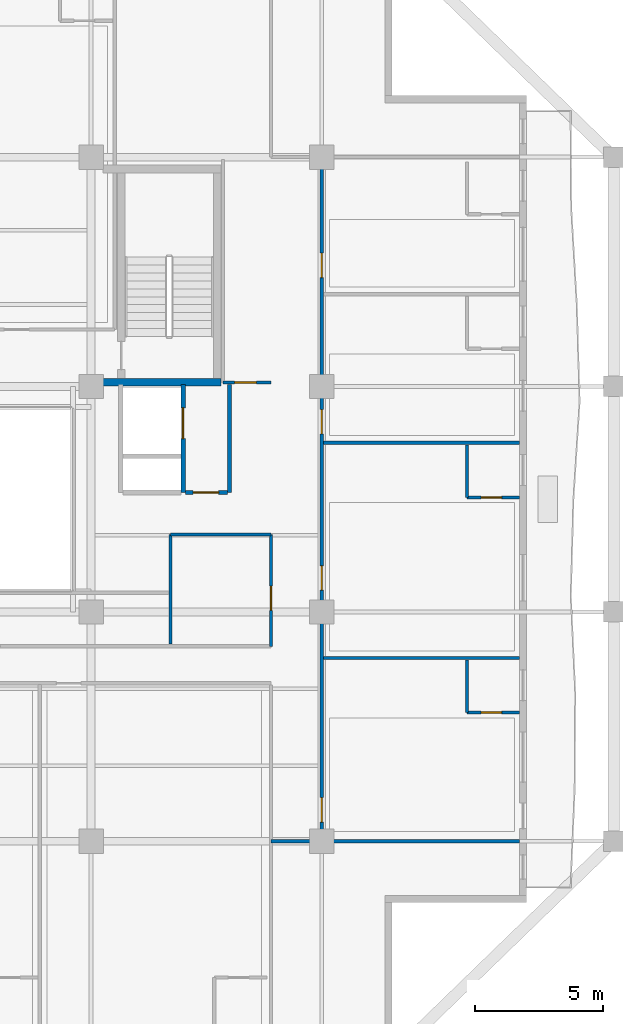
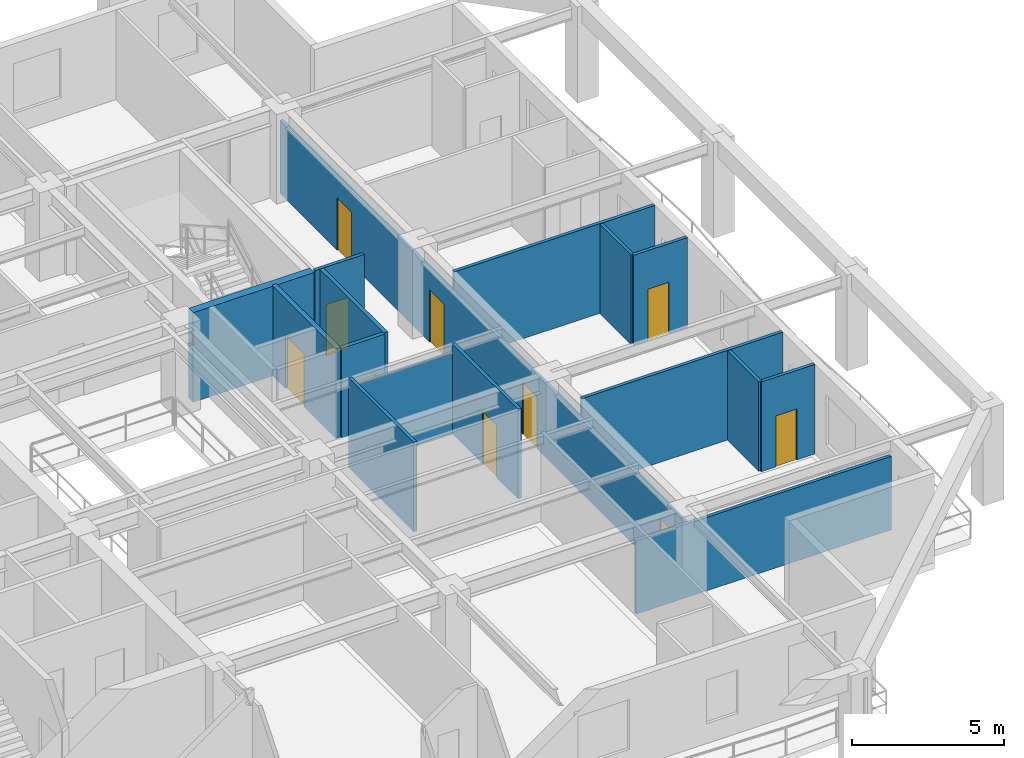
# One storey, part 5 of 13: 16 walls, 10 doors, 10 openings.
"""IFC4 building model written with IfcOpenShell, lengths in metres."""

from ifc_helpers import new_model, si_unit, direction, frame, frame_2d, origin, place, context, subcontext, project, spatial, rectangle, extrude, material, layer, layer_set, type_object, element, fill, save


model = new_model("IFC4")

# Units and contexts
model_context = context("Model", 3, precision=1e-05, world=origin(), true_north=direction((0.0, 1.0)))
body_context = subcontext(model_context, "Body", "Model", "MODEL_VIEW")
ifc_project = project(units=[si_unit("LENGTHUNIT", "METRE"), si_unit("AREAUNIT", "SQUARE_METRE"), si_unit("VOLUMEUNIT", "CUBIC_METRE"), si_unit("PLANEANGLEUNIT", "RADIAN"), si_unit("MASSUNIT", "GRAM", prefix="KILO")], contexts=[model_context])

# Site, building, storey
site_placement = place(None, origin())
site = spatial("IfcSite", under=ifc_project, at=site_placement, CompositionType="ELEMENT")
building_placement = place(site_placement, origin())
building = spatial("IfcBuilding", under=site, at=building_placement, Name="Kundavana Baori Tower", CompositionType="ELEMENT")
storey_placement = place(building_placement, frame((0.0, 0.0, 165.60009765625)))
storey = spatial("IfcBuildingStorey", under=building, at=storey_placement, Name="L40", CompositionType="ELEMENT", Elevation=165.60009765625)

# Wall
ifc_material_1 = material(Name="Fire-Rated Gypsum Drywall on Galvanised Steel Studs", Category="steel")
ifc_layer_1 = layer(ifc_material_1, 0.14990234375, Name="WL-PART-150")
ifc_layer_set_1 = layer_set([ifc_layer_1], Name="Fire-Rated Gypsum Drywall on Galvanised Steel Studs")
wall_type_1 = type_object("IfcWallType", Name="WL-PART-150", PredefinedType="PARTITIONING", material=ifc_layer_set_1)
wall_1_placement = place(storey_placement, frame((39.199951171875, 28.860107421875, 0.0), z_axis=(0.0, 0.0, 1.0), x_axis=(0.0, 1.0, 0.0)))
element("IfcWall", 1, at=wall_1_placement, inside=storey, type_object=wall_type_1, Name="WL-L40-SVLOB-E", PredefinedType="PARTITIONING", context=body_context, shape_type="SweptSolid", body=[
    extrude(rectangle(XDim=4.219970703125, YDim=0.14990234375, at=frame_2d((2.10986328125, 0.0))), origin(), (0.0, 0.0, 1.0), 3.599853515625),
])

# Wall, opening, door
wall_2_placement = place(storey_placement, frame((37.47998046875, 28.860107421875, 0.0), z_axis=(0.0, 0.0, 1.0), x_axis=(1.0, 0.0, 0.0)))
wall_2 = element("IfcWall", 2, at=wall_2_placement, inside=storey, type_object=wall_type_1, Name="WL-L40-SVLOB-S", PredefinedType="PARTITIONING", context=body_context, shape_type="SweptSolid", body=[
    extrude(rectangle(XDim=1.64013671875, YDim=0.14990234375, at=frame_2d((0.820068359375, 0.0))), origin(), (0.0, 0.0, 1.0), 3.599853515625),
])
opening_1_placement = place(wall_2_placement, frame((0.300048828125, 0.0, 0.0)))
opening_1 = element("IfcOpeningElement", 3, at=opening_1_placement, cuts=wall_2, Name="Opening FD-100", PredefinedType="OPENING", context=body_context, shape_type="SweptSolid", body=[
    extrude(rectangle(XDim=1.0, YDim=2.10009765625, at=frame_2d((0.5, 1.050048828125))), frame((0.0, 0.0849609375, 0.0), z_axis=(0.0, -1.0, 0.0), x_axis=(1.0, 0.0, 0.0)), (0.0, 0.0, 1.0), 0.169921875),
])
ifc_material_2 = material(Name="Engineered Teak Fire-Rated Timber Door Leaf", Category="wood")
door_type_1 = type_object("IfcDoorType", Name="DR-FD60-1000", OperationType="NOTDEFINED", PredefinedType="DOOR", material=ifc_material_2)
door_1_placement = place(opening_1_placement, origin())
door_1 = element("IfcDoor", 4, at=door_1_placement, inside=storey, type_object=door_type_1, Name="DR-L40-SVLOB-OUT", OperationType="SINGLE_SWING_LEFT", OverallHeight=2.10009765625, OverallWidth=1.0, PredefinedType="DOOR", context=body_context, shape_type="SweptSolid", body=[
    extrude(rectangle(XDim=1.0, YDim=2.10009765625, at=frame_2d((0.5, 1.050048828125))), frame((0.0, 0.02490234375, 0.0), z_axis=(0.0, -1.0, 0.0), x_axis=(1.0, 0.0, 0.0)), (0.0, 0.0, 1.0), 0.050048828125),
])
fill(opening_1, door_1)

ifc_material_3 = material(Name="Autoclaved Aerated Concrete Blockwork Masonry", Category="masonry")
ifc_layer_2 = layer(ifc_material_3, 0.179931640625, Name="WL-SHAFT-180")
ifc_layer_set_2 = layer_set([ifc_layer_2], Name="Autoclaved Aerated Concrete Blockwork Masonry")
wall_type_2 = type_object("IfcWallType", Name="WL-SHAFT-180", PredefinedType="SOLIDWALL", material=ifc_layer_set_2)
wall_3_placement = place(storey_placement, frame((37.389892578125, 28.860107421875, 0.0), z_axis=(0.0, 0.0, 1.0), x_axis=(0.0, 1.0, 0.0)))
wall_3 = element("IfcWall", 5, at=wall_3_placement, inside=storey, type_object=wall_type_2, Name="WL-L40-SVL-E", PredefinedType="SOLIDWALL", context=body_context, shape_type="SweptSolid", body=[
    extrude(rectangle(XDim=4.219970703125, YDim=0.179931640625, at=frame_2d((2.10986328125, 0.0))), origin(), (0.0, 0.0, 1.0), 3.599853515625),
])
opening_2_placement = place(wall_3_placement, frame((2.10009765625, 0.0, 0.0)))
opening_2 = element("IfcOpeningElement", 6, at=opening_2_placement, cuts=wall_3, Name="Opening LD-120", PredefinedType="OPENING", context=body_context, shape_type="SweptSolid", body=[
    extrude(rectangle(XDim=1.199951171875, YDim=2.1201171875, at=frame_2d((0.60009765625, 1.06005859375))), frame((0.0, 0.10009765625, 0.0), z_axis=(0.0, -1.0, 0.0), x_axis=(1.0, 0.0, 0.0)), (0.0, 0.0, 1.0), 0.199951171875),
])
ifc_material_4 = material(Name="Galvanised Steel Fire-Rated Door Leaf", Category="steel")
door_type_2 = type_object("IfcDoorType", Name="DR-SLIDE-LD1200", OperationType="NOTDEFINED", PredefinedType="DOOR", material=ifc_material_4)
door_2_placement = place(opening_2_placement, frame((1.199951171875, 0.0, 0.0), z_axis=(0.0, 0.0, 1.0), x_axis=(-1.0, 0.0, 0.0)))
door_2 = element("IfcDoor", 7, at=door_2_placement, inside=storey, type_object=door_type_2, Name="DR-L40-LD-SVL1", OperationType="DOUBLE_DOOR_SLIDING", OverallHeight=2.1201171875, OverallWidth=1.199951171875, PredefinedType="DOOR", context=body_context, shape_type="SweptSolid", body=[
    extrude(rectangle(XDim=1.199951171875, YDim=2.1201171875, at=frame_2d((0.60009765625, 1.06005859375))), frame((0.0, 0.02490234375, 0.0), z_axis=(0.0, -1.0, 0.0), x_axis=(1.0, 0.0, 0.0)), (0.0, 0.0, 1.0), 0.050048828125),
])
fill(opening_2, door_2)

# Wall
ifc_material_5 = material(Name="Concrete C50/60", Category="concrete")
ifc_layer_3 = layer(ifc_material_5, 0.300048828125, Name="WL-ST3-300")
ifc_layer_set_3 = layer_set([ifc_layer_3], Name="Concrete C50/60")
wall_type_3 = type_object("IfcWallType", Name="WL-ST3-300", PredefinedType="SHEAR", material=ifc_layer_set_3)
wall_4_placement = place(storey_placement, frame((34.27490234375, 33.159912109375, 0.0), z_axis=(0.0, 0.0, 1.0), x_axis=(1.0, 0.0, 0.0)))
element("IfcWall", 8, at=wall_4_placement, inside=storey, type_object=wall_type_3, Name="L40 Stair ST3 South Shear Wall", PredefinedType="SHEAR", context=body_context, shape_type="SweptSolid", body=[
    extrude(rectangle(XDim=4.59521484375, YDim=0.300048828125, at=frame_2d((2.297607421875, 0.0))), origin(), (0.0, 0.0, 1.0), 3.599853515625),
])

# Wall, openings, doors
ifc_material_6 = material(Name="Autoclaved Aerated Concrete Blockwork Masonry", Category="masonry")
ifc_layer_4 = layer(ifc_material_6, 0.125, Name="WL-WET-120")
ifc_layer_set_4 = layer_set([ifc_layer_4], Name="Autoclaved Aerated Concrete Blockwork Masonry")
wall_type_4 = type_object("IfcWallType", Name="WL-WET-120", PredefinedType="PLUMBINGWALL", material=ifc_layer_set_4)
wall_5_placement = place(storey_placement, frame((42.800048828125, 15.25, 0.0), z_axis=(0.0, 0.0, 1.0), x_axis=(0.0, 1.0, 0.0)))
wall_5 = element("IfcWall", 9, at=wall_5_placement, inside=storey, type_object=wall_type_4, Name="WL-L40-HE", PredefinedType="PLUMBINGWALL", context=body_context, shape_type="SweptSolid", body=[
    extrude(rectangle(XDim=26.699951171875, YDim=0.125, at=frame_2d((13.35009765625, 0.0))), origin(), (0.0, 0.0, 1.0), 2.949951171875),
])
opening_3_placement = place(wall_5_placement, frame((0.75, 0.0, 0.0)))
opening_3 = element("IfcOpeningElement", 10, at=opening_3_placement, cuts=wall_5, Name="Opening FD-095", PredefinedType="OPENING", context=body_context, shape_type="SweptSolid", body=[
    extrude(rectangle(XDim=0.949951171875, YDim=2.10009765625, at=frame_2d((0.47509765625, 1.050048828125))), frame((0.0, 0.072509765625, 0.0), z_axis=(0.0, -1.0, 0.0), x_axis=(1.0, 0.0, 0.0)), (0.0, 0.0, 1.0), 0.14501953125),
])
opening_4_placement = place(wall_5_placement, frame((9.800048828125, 0.0, 0.0)))
opening_4 = element("IfcOpeningElement", 11, at=opening_4_placement, cuts=wall_5, Name="Opening FD-095", PredefinedType="OPENING", context=body_context, shape_type="SweptSolid", body=[
    extrude(rectangle(XDim=0.949951171875, YDim=2.10009765625, at=frame_2d((0.47509765625, 1.050048828125))), frame((0.0, 0.072509765625, 0.0), z_axis=(0.0, -1.0, 0.0), x_axis=(1.0, 0.0, 0.0)), (0.0, 0.0, 1.0), 0.14501953125),
])
opening_5_placement = place(wall_5_placement, frame((15.89990234375, 0.0, 0.0)))
opening_5 = element("IfcOpeningElement", 12, at=opening_5_placement, cuts=wall_5, Name="Opening FD-095", PredefinedType="OPENING", context=body_context, shape_type="SweptSolid", body=[
    extrude(rectangle(XDim=0.949951171875, YDim=2.10009765625, at=frame_2d((0.47509765625, 1.050048828125))), frame((0.0, 0.072509765625, 0.0), z_axis=(0.0, -1.0, 0.0), x_axis=(1.0, 0.0, 0.0)), (0.0, 0.0, 1.0), 0.14501953125),
])
opening_6_placement = place(wall_5_placement, frame((22.0, 0.0, 0.0)))
opening_6 = element("IfcOpeningElement", 13, at=opening_6_placement, cuts=wall_5, Name="Opening FD-095", PredefinedType="OPENING", context=body_context, shape_type="SweptSolid", body=[
    extrude(rectangle(XDim=0.949951171875, YDim=2.10009765625, at=frame_2d((0.47509765625, 1.050048828125))), frame((0.0, 0.072509765625, 0.0), z_axis=(0.0, -1.0, 0.0), x_axis=(1.0, 0.0, 0.0)), (0.0, 0.0, 1.0), 0.14501953125),
])
ifc_material_7 = material(Name="Engineered Teak Fire-Rated Timber Door Leaf", Category="wood")
door_type_3 = type_object("IfcDoorType", Name="DR-FD60-950", OperationType="NOTDEFINED", PredefinedType="DOOR", material=ifc_material_7)
door_3_placement = place(opening_3_placement, origin())
door_3 = element("IfcDoor", 14, at=door_3_placement, inside=storey, type_object=door_type_3, Name="DR-L40-HK-E1-ENT", OperationType="SINGLE_SWING_LEFT", OverallHeight=2.10009765625, OverallWidth=0.949951171875, PredefinedType="DOOR", context=body_context, shape_type="SweptSolid", body=[
    extrude(rectangle(XDim=0.949951171875, YDim=2.10009765625, at=frame_2d((0.47509765625, 1.050048828125))), frame((0.0, 0.02490234375, 0.0), z_axis=(0.0, -1.0, 0.0), x_axis=(1.0, 0.0, 0.0)), (0.0, 0.0, 1.0), 0.050048828125),
])
fill(opening_3, door_3)
door_4_placement = place(opening_4_placement, origin())
door_4 = element("IfcDoor", 15, at=door_4_placement, inside=storey, type_object=door_type_3, Name="DR-L40-HK-E2-ENT", OperationType="SINGLE_SWING_LEFT", OverallHeight=2.10009765625, OverallWidth=0.949951171875, PredefinedType="DOOR", context=body_context, shape_type="SweptSolid", body=[
    extrude(rectangle(XDim=0.949951171875, YDim=2.10009765625, at=frame_2d((0.47509765625, 1.050048828125))), frame((0.0, 0.02490234375, 0.0), z_axis=(0.0, -1.0, 0.0), x_axis=(1.0, 0.0, 0.0)), (0.0, 0.0, 1.0), 0.050048828125),
])
fill(opening_4, door_4)
door_5_placement = place(opening_5_placement, origin())
door_5 = element("IfcDoor", 16, at=door_5_placement, inside=storey, type_object=door_type_3, Name="DR-L40-HK-E3-ENT", OperationType="SINGLE_SWING_LEFT", OverallHeight=2.10009765625, OverallWidth=0.949951171875, PredefinedType="DOOR", context=body_context, shape_type="SweptSolid", body=[
    extrude(rectangle(XDim=0.949951171875, YDim=2.10009765625, at=frame_2d((0.47509765625, 1.050048828125))), frame((0.0, 0.02490234375, 0.0), z_axis=(0.0, -1.0, 0.0), x_axis=(1.0, 0.0, 0.0)), (0.0, 0.0, 1.0), 0.050048828125),
])
fill(opening_5, door_5)
door_6_placement = place(opening_6_placement, origin())
door_6 = element("IfcDoor", 17, at=door_6_placement, inside=storey, type_object=door_type_3, Name="DR-L40-HK-E4-ENT", OperationType="SINGLE_SWING_LEFT", OverallHeight=2.10009765625, OverallWidth=0.949951171875, PredefinedType="DOOR", context=body_context, shape_type="SweptSolid", body=[
    extrude(rectangle(XDim=0.949951171875, YDim=2.10009765625, at=frame_2d((0.47509765625, 1.050048828125))), frame((0.0, 0.02490234375, 0.0), z_axis=(0.0, -1.0, 0.0), x_axis=(1.0, 0.0, 0.0)), (0.0, 0.0, 1.0), 0.050048828125),
])
fill(opening_6, door_6)

# Wall
wall_6_placement = place(storey_placement, frame((40.820068359375, 15.25, 0.0), z_axis=(0.0, 0.0, 1.0), x_axis=(1.0, 0.0, 0.0)))
element("IfcWall", 18, at=wall_6_placement, inside=storey, type_object=wall_type_4, Name="WL-L40-HES", PredefinedType="PLUMBINGWALL", context=body_context, shape_type="SweptSolid", body=[
    extrude(rectangle(XDim=9.699951171875, YDim=0.125, at=frame_2d((4.85009765625, 0.0))), origin(), (0.0, 0.0, 1.0), 2.949951171875),
])

# Wall, opening, door
wall_7_placement = place(storey_placement, frame((40.820068359375, 22.860107421875, 0.0), z_axis=(0.0, 0.0, 1.0), x_axis=(0.0, 1.0, 0.0)))
wall_7 = element("IfcWall", 19, at=wall_7_placement, inside=storey, type_object=wall_type_4, Name="WL-L40-HEW", PredefinedType="PLUMBINGWALL", context=body_context, shape_type="SweptSolid", body=[
    extrude(rectangle(XDim=4.35986328125, YDim=0.125, at=frame_2d((2.179931640625, 0.0))), origin(), (0.0, 0.0, 1.0), 3.599853515625),
])
opening_7_placement = place(wall_7_placement, frame((1.39990234375, 0.0, 0.0)))
opening_7 = element("IfcOpeningElement", 20, at=opening_7_placement, cuts=wall_7, Name="Opening FD-095", PredefinedType="OPENING", context=body_context, shape_type="SweptSolid", body=[
    extrude(rectangle(XDim=0.949951171875, YDim=2.10009765625, at=frame_2d((0.47509765625, 1.050048828125))), frame((0.0, 0.072509765625, 0.0), z_axis=(0.0, -1.0, 0.0), x_axis=(1.0, 0.0, 0.0)), (0.0, 0.0, 1.0), 0.14501953125),
])
door_7_placement = place(opening_7_placement, frame((0.949951171875, 0.0, 0.0), z_axis=(0.0, 0.0, 1.0), x_axis=(-1.0, 0.0, 0.0)))
door_7 = element("IfcDoor", 21, at=door_7_placement, inside=storey, type_object=door_type_3, Name="DR-L40-HSK", OperationType="SINGLE_SWING_RIGHT", OverallHeight=2.10009765625, OverallWidth=0.949951171875, PredefinedType="DOOR", context=body_context, shape_type="SweptSolid", body=[
    extrude(rectangle(XDim=0.949951171875, YDim=2.10009765625, at=frame_2d((0.47509765625, 1.050048828125))), frame((0.0, 0.02490234375, 0.0), z_axis=(0.0, -1.0, 0.0), x_axis=(1.0, 0.0, 0.0)), (0.0, 0.0, 1.0), 0.050048828125),
])
fill(opening_7, door_7)

# Walls
wall_8_placement = place(storey_placement, frame((36.89990234375, 27.219970703125, 0.0), z_axis=(0.0, 0.0, 1.0), x_axis=(1.0, 0.0, 0.0)))
element("IfcWall", 22, at=wall_8_placement, inside=storey, type_object=wall_type_4, Name="WL-L40-HKN", PredefinedType="PLUMBINGWALL", context=body_context, shape_type="SweptSolid", body=[
    extrude(rectangle(XDim=3.920166015625, YDim=0.125, at=frame_2d((1.9599609375, 0.0))), origin(), (0.0, 0.0, 1.0), 3.25),
])
wall_9_placement = place(storey_placement, frame((36.89990234375, 22.93994140625, 0.0), z_axis=(0.0, 0.0, 1.0), x_axis=(0.0, 1.0, 0.0)))
element("IfcWall", 23, at=wall_9_placement, inside=storey, type_object=wall_type_4, Name="WL-L40-HKD", PredefinedType="PLUMBINGWALL", context=body_context, shape_type="SweptSolid", body=[
    extrude(rectangle(XDim=4.280029296875, YDim=0.125, at=frame_2d((2.14013671875, 0.0))), origin(), (0.0, 0.0, 1.0), 3.599853515625),
])
wall_10_placement = place(storey_placement, frame((48.469970703125, 20.27001953125, 0.0), z_axis=(0.0, 0.0, 1.0), x_axis=(0.0, 1.0, 0.0)))
element("IfcWall", 24, at=wall_10_placement, inside=storey, type_object=wall_type_4, Name="WL-L40-HK-E1-BW", PredefinedType="PLUMBINGWALL", context=body_context, shape_type="SweptSolid", body=[
    extrude(rectangle(XDim=2.050048828125, YDim=0.125, at=frame_2d((1.02490234375, 0.0))), origin(), (0.0, 0.0, 1.0), 3.599853515625),
])

# Wall, opening, door
wall_11_placement = place(storey_placement, frame((48.469970703125, 20.27001953125, 0.0), z_axis=(0.0, 0.0, 1.0), x_axis=(1.0, 0.0, 0.0)))
wall_11 = element("IfcWall", 25, at=wall_11_placement, inside=storey, type_object=wall_type_4, Name="WL-L40-HK-E1-BS", PredefinedType="PLUMBINGWALL", context=body_context, shape_type="SweptSolid", body=[
    extrude(rectangle(XDim=2.050048828125, YDim=0.125, at=frame_2d((1.02490234375, 0.0))), origin(), (0.0, 0.0, 1.0), 3.599853515625),
])
opening_8_placement = place(wall_11_placement, frame((0.550048828125, 0.0, 0.0)))
opening_8 = element("IfcOpeningElement", 26, at=opening_8_placement, cuts=wall_11, Name="Opening WD-080", PredefinedType="OPENING", context=body_context, shape_type="SweptSolid", body=[
    extrude(rectangle(XDim=0.800048828125, YDim=2.050048828125, at=frame_2d((0.39990234375, 1.02490234375))), frame((0.0, 0.072509765625, 0.0), z_axis=(0.0, -1.0, 0.0), x_axis=(1.0, 0.0, 0.0)), (0.0, 0.0, 1.0), 0.14501953125),
])
ifc_material_8 = material(Name="Engineered Teak Solid-Core Timber Veneer", Category="wood")
door_type_4 = type_object("IfcDoorType", Name="DR-WET-800", OperationType="NOTDEFINED", PredefinedType="DOOR", material=ifc_material_8)
door_8_placement = place(opening_8_placement, frame((0.800048828125, 0.0, 0.0), z_axis=(0.0, 0.0, 1.0), x_axis=(-1.0, 0.0, 0.0)))
door_8 = element("IfcDoor", 27, at=door_8_placement, inside=storey, type_object=door_type_4, Name="DR-L40-HK-E1-ENS", OperationType="SINGLE_SWING_LEFT", OverallHeight=2.050048828125, OverallWidth=0.800048828125, PredefinedType="DOOR", context=body_context, shape_type="SweptSolid", body=[
    extrude(rectangle(XDim=0.800048828125, YDim=2.050048828125, at=frame_2d((0.39990234375, 1.02490234375))), frame((0.0, 0.02490234375, 0.0), z_axis=(0.0, -1.0, 0.0), x_axis=(1.0, 0.0, 0.0)), (0.0, 0.0, 1.0), 0.050048828125),
])
fill(opening_8, door_8)

# Walls
wall_12_placement = place(storey_placement, frame((42.8798828125, 22.39990234375, 0.0), z_axis=(0.0, 0.0, 1.0), x_axis=(1.0, 0.0, 0.0)))
element("IfcWall", 28, at=wall_12_placement, inside=storey, type_object=wall_type_4, Name="WL-L40-HED1", PredefinedType="PLUMBINGWALL", context=body_context, shape_type="SweptSolid", body=[
    extrude(rectangle(XDim=7.64013671875, YDim=0.125, at=frame_2d((3.820068359375, 0.0))), origin(), (0.0, 0.0, 1.0), 3.599853515625),
])
wall_13_placement = place(storey_placement, frame((48.469970703125, 28.669921875, 0.0), z_axis=(0.0, 0.0, 1.0), x_axis=(0.0, 1.0, 0.0)))
element("IfcWall", 29, at=wall_13_placement, inside=storey, type_object=wall_type_4, Name="WL-L40-HK-E2-BW", PredefinedType="PLUMBINGWALL", context=body_context, shape_type="SweptSolid", body=[
    extrude(rectangle(XDim=2.050048828125, YDim=0.125, at=frame_2d((1.02490234375, 0.0))), origin(), (0.0, 0.0, 1.0), 3.599853515625),
])

# Wall, opening, door
wall_14_placement = place(storey_placement, frame((48.469970703125, 28.669921875, 0.0), z_axis=(0.0, 0.0, 1.0), x_axis=(1.0, 0.0, 0.0)))
wall_14 = element("IfcWall", 30, at=wall_14_placement, inside=storey, type_object=wall_type_4, Name="WL-L40-HK-E2-BS", PredefinedType="PLUMBINGWALL", context=body_context, shape_type="SweptSolid", body=[
    extrude(rectangle(XDim=2.050048828125, YDim=0.125, at=frame_2d((1.02490234375, 0.0))), origin(), (0.0, 0.0, 1.0), 3.599853515625),
])
opening_9_placement = place(wall_14_placement, frame((0.550048828125, 0.0, 0.0)))
opening_9 = element("IfcOpeningElement", 31, at=opening_9_placement, cuts=wall_14, Name="Opening WD-080", PredefinedType="OPENING", context=body_context, shape_type="SweptSolid", body=[
    extrude(rectangle(XDim=0.800048828125, YDim=2.050048828125, at=frame_2d((0.39990234375, 1.02490234375))), frame((0.0, 0.072509765625, 0.0), z_axis=(0.0, -1.0, 0.0), x_axis=(1.0, 0.0, 0.0)), (0.0, 0.0, 1.0), 0.14501953125),
])
door_9_placement = place(opening_9_placement, frame((0.800048828125, 0.0, 0.0), z_axis=(0.0, 0.0, 1.0), x_axis=(-1.0, 0.0, 0.0)))
door_9 = element("IfcDoor", 32, at=door_9_placement, inside=storey, type_object=door_type_4, Name="DR-L40-HK-E2-ENS", OperationType="SINGLE_SWING_LEFT", OverallHeight=2.050048828125, OverallWidth=0.800048828125, PredefinedType="DOOR", context=body_context, shape_type="SweptSolid", body=[
    extrude(rectangle(XDim=0.800048828125, YDim=2.050048828125, at=frame_2d((0.39990234375, 1.02490234375))), frame((0.0, 0.02490234375, 0.0), z_axis=(0.0, -1.0, 0.0), x_axis=(1.0, 0.0, 0.0)), (0.0, 0.0, 1.0), 0.050048828125),
])
fill(opening_9, door_9)

# Wall
wall_15_placement = place(storey_placement, frame((42.8798828125, 30.800048828125, 0.0), z_axis=(0.0, 0.0, 1.0), x_axis=(1.0, 0.0, 0.0)))
element("IfcWall", 33, at=wall_15_placement, inside=storey, type_object=wall_type_4, Name="WL-L40-HED2", PredefinedType="PLUMBINGWALL", context=body_context, shape_type="SweptSolid", body=[
    extrude(rectangle(XDim=7.64013671875, YDim=0.125, at=frame_2d((3.820068359375, 0.0))), origin(), (0.0, 0.0, 1.0), 3.599853515625),
])

# Wall, opening, door
wall_16_placement = place(storey_placement, frame((38.949951171875, 33.14990234375, 0.0), z_axis=(0.0, 0.0, 1.0), x_axis=(1.0, 0.0, 0.0)))
wall_16 = element("IfcWall", 34, at=wall_16_placement, inside=storey, type_object=wall_type_4, Name="WL-L40-HNES", PredefinedType="PLUMBINGWALL", context=body_context, shape_type="SweptSolid", body=[
    extrude(rectangle(XDim=1.8701171875, YDim=0.125, at=frame_2d((0.93505859375, 0.0))), origin(), (0.0, 0.0, 1.0), 3.599853515625),
])
opening_10_placement = place(wall_16_placement, frame((0.449951171875, 0.0, 0.0)))
opening_10 = element("IfcOpeningElement", 35, at=opening_10_placement, cuts=wall_16, Name="Opening WD-085", PredefinedType="OPENING", context=body_context, shape_type="SweptSolid", body=[
    extrude(rectangle(XDim=0.85009765625, YDim=2.050048828125, at=frame_2d((0.425048828125, 1.02490234375))), frame((0.0, 0.072509765625, 0.0), z_axis=(0.0, -1.0, 0.0), x_axis=(1.0, 0.0, 0.0)), (0.0, 0.0, 1.0), 0.14501953125),
])
ifc_material_9 = material(Name="Engineered Teak Solid-Core Timber Veneer", Category="wood")
door_type_5 = type_object("IfcDoorType", Name="DR-WET-850", OperationType="NOTDEFINED", PredefinedType="DOOR", material=ifc_material_9)
door_10_placement = place(opening_10_placement, origin())
door_10 = element("IfcDoor", 36, at=door_10_placement, inside=storey, type_object=door_type_5, Name="DR-L40-HLNE", OperationType="SINGLE_SWING_LEFT", OverallHeight=2.050048828125, OverallWidth=0.85009765625, PredefinedType="DOOR", context=body_context, shape_type="SweptSolid", body=[
    extrude(rectangle(XDim=0.85009765625, YDim=2.050048828125, at=frame_2d((0.425048828125, 1.02490234375))), frame((0.0, 0.02490234375, 0.0), z_axis=(0.0, -1.0, 0.0), x_axis=(1.0, 0.0, 0.0)), (0.0, 0.0, 1.0), 0.050048828125),
])
fill(opening_10, door_10)

save(model, "model.ifc")
